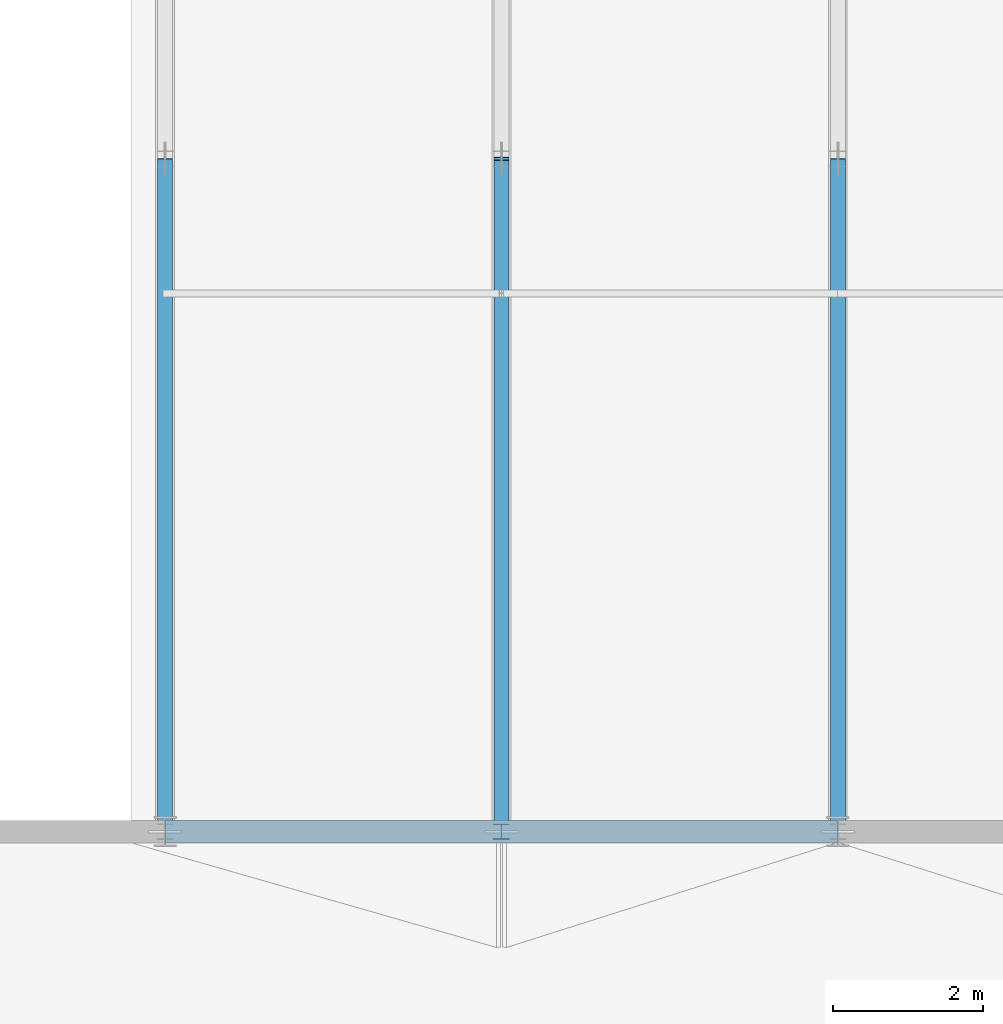
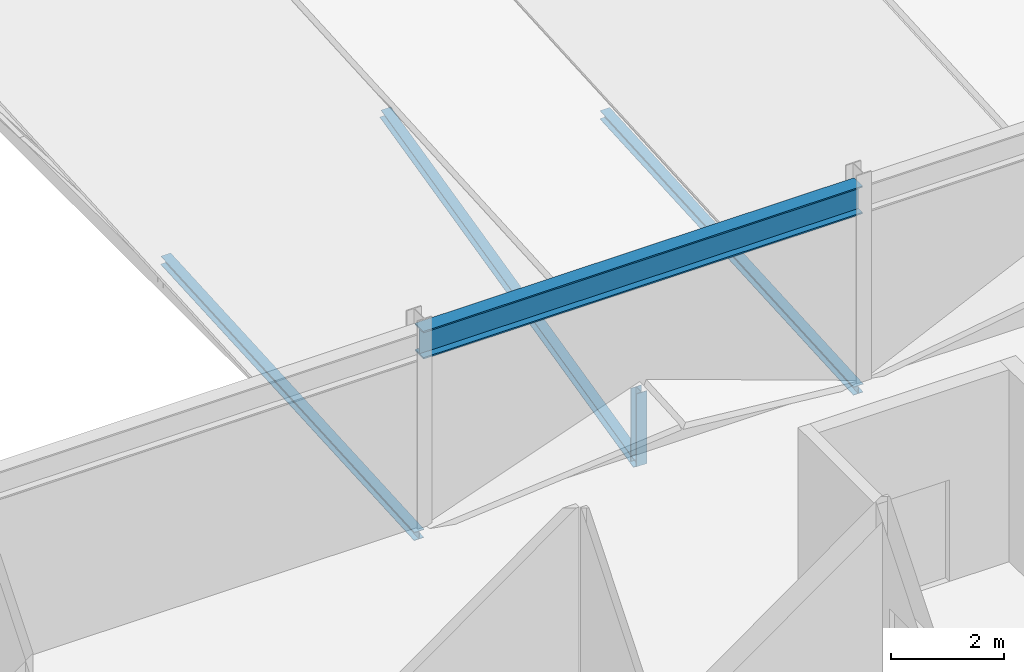
# One storey, part 25 of 142: 4 members, 1 beam.
"""IFC4 building model written with IfcOpenShell, lengths in metres."""

from ifc_helpers import new_model, si_unit, direction, frame, origin, origin_2d, place, context, subcontext, project, spatial, i_section, extrude, material, material_profile, profile_set, type_object, element, save


model = new_model("IFC4")

# Units and contexts
model_context = context("Model", 3, precision=1e-05, world=origin(), true_north=direction((0.0, 1.0)))
body_context = subcontext(model_context, "Body", "Model", "MODEL_VIEW")
ifc_project = project(units=[si_unit("LENGTHUNIT", "METRE"), si_unit("AREAUNIT", "SQUARE_METRE"), si_unit("VOLUMEUNIT", "CUBIC_METRE"), si_unit("PLANEANGLEUNIT", "RADIAN"), si_unit("MASSUNIT", "GRAM", prefix="KILO")], contexts=[model_context])

# Site, building, storey
site_placement = place(None, origin())
site = spatial("IfcSite", under=ifc_project, at=site_placement, CompositionType="ELEMENT")
building_placement = place(site_placement, origin())
building = spatial("IfcBuilding", under=site, at=building_placement, Name="Montelvaro Courts of Justice", CompositionType="ELEMENT")
storey_placement = place(building_placement, frame((0.0, 0.0, 14.39990234375)))
storey = spatial("IfcBuildingStorey", under=building, at=storey_placement, Name="L03", CompositionType="ELEMENT", Elevation=14.39990234375)

# Beam
ifc_material = material(Name="Steel S355", Category="steel")
ifc_material_profile_1 = material_profile(ifc_material, i_section(OverallWidth=0.300048828125, OverallDepth=0.60009765625, WebThickness=0.015380859375, FlangeThickness=0.030029296875, at=origin_2d()), Name="HEB 600")
ifc_profile_set_1 = profile_set([ifc_material_profile_1], Name="Steel S355")
beam_type = type_object("IfcBeamType", Name="Beam_HEB600", PredefinedType="USERDEFINED", material=ifc_profile_set_1)
beam_placement = place(storey_placement, frame((54.0, 42.0, 3.900146484375), z_axis=(1.0, 0.0, 0.0), x_axis=(0.0, 1.0, 0.0)))
element("IfcBeam", 1, at=beam_placement, inside=storey, type_object=beam_type, Name="V3 Roof Eave Girder", ObjectType="GIRDER", PredefinedType="USERDEFINED", context=body_context, shape_type="SweptSolid", body=[
    extrude(i_section(OverallWidth=0.300048828125, OverallDepth=0.60009765625, WebThickness=0.015380859375, FlangeThickness=0.030029296875, at=origin_2d()), origin(), (0.0, 0.0, 1.0), 9.0),
])

# Members
ifc_material_profile_2 = material_profile(ifc_material, i_section(OverallWidth=0.199951171875, OverallDepth=0.18994140625, WebThickness=0.006591796875, FlangeThickness=0.010009765625, at=origin_2d()), Name="HEA 200")
ifc_profile_set_2 = profile_set([ifc_material_profile_2], Name="Steel S355")
member_type_1 = type_object("IfcMemberType", Name="Mem_HEA200_Brace", PredefinedType="BRACE", material=ifc_profile_set_2)
for number, where, z_axis, x_axis, name in (
    (2, (54.0, 42.0, -0.2998046875), (0.0, 0.998271944472, 0.058763295342), (-1.0, 0.0, 0.0), "Roof Truss Web MB-02 ROOF-PASSAGE-VTR01-W1"),
    (3, (63.0, 42.0, -0.2998046875), (0.0, 0.998271944472, 0.058763295342), (-1.0, 0.0, 0.0), "Roof Truss Web MB-02 ROOF-PASSAGE-VTR02-W1"),
):
    element("IfcMember", number, at=place(storey_placement, frame(where, z_axis=z_axis, x_axis=x_axis)), inside=storey, type_object=member_type_1, Name=name, PredefinedType="BRACE", context=body_context, shape_type="SweptSolid", body=[
        extrude(i_section(OverallWidth=0.199951171875, OverallDepth=0.18994140625, WebThickness=0.006591796875, FlangeThickness=0.010009765625, at=origin_2d()), origin(), (0.0, 0.0, 1.0), 9.015625),
    ])
member_1_placement = place(storey_placement, frame((58.5, 42.0, -0.2998046875), z_axis=(0.0, 0.973121400333, 0.230292727227), x_axis=(-1.0, 0.0, 0.0)))
element("IfcMember", 4, at=member_1_placement, inside=storey, type_object=member_type_1, Name="Roof Truss Web MB-02 ROOF-PASSAGE-RTR01-W1", PredefinedType="BRACE", context=body_context, shape_type="SweptSolid", body=[
    extrude(i_section(OverallWidth=0.199951171875, OverallDepth=0.18994140625, WebThickness=0.006591796875, FlangeThickness=0.010009765625, at=origin_2d()), origin(), (0.0, 0.0, 1.0), 9.24853515625),
])
ifc_material_profile_3 = material_profile(ifc_material, i_section(OverallWidth=0.219970703125, OverallDepth=0.2099609375, WebThickness=0.007080078125, FlangeThickness=0.010986328125, at=origin_2d()), Name="HEA 220")
ifc_profile_set_3 = profile_set([ifc_material_profile_3], Name="Steel S355")
member_type_2 = type_object("IfcMemberType", Name="Mem_HEA220_Post", PredefinedType="POST", material=ifc_profile_set_3)
member_2_placement = place(storey_placement, frame((58.5, 42.0, -0.2998046875), z_axis=(0.0, 0.0, 1.0), x_axis=(1.0, 0.0, 0.0)))
element("IfcMember", 5, at=member_2_placement, inside=storey, type_object=member_type_2, Name="Roof Truss Post MP-03 ROOF-PASSAGE-RTR01-V0", PredefinedType="POST", context=body_context, shape_type="SweptSolid", body=[
    extrude(i_section(OverallWidth=0.219970703125, OverallDepth=0.2099609375, WebThickness=0.007080078125, FlangeThickness=0.010986328125, at=origin_2d()), origin(), (0.0, 0.0, 1.0), 1.579833984375),
])

save(model, "model.ifc")
